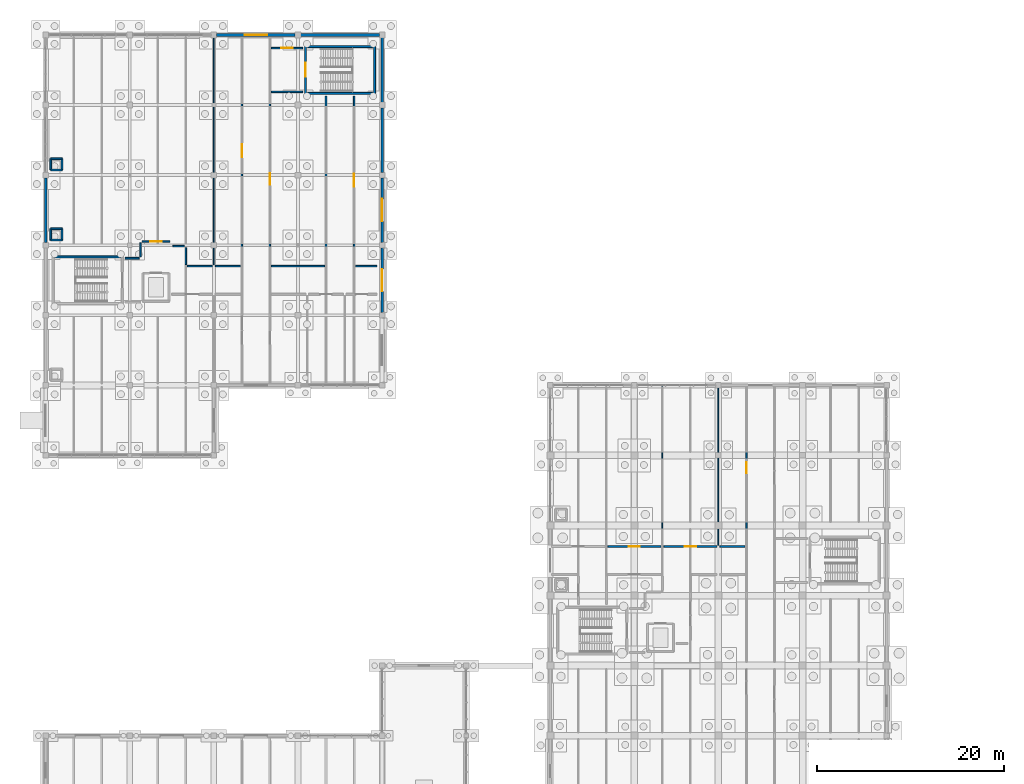
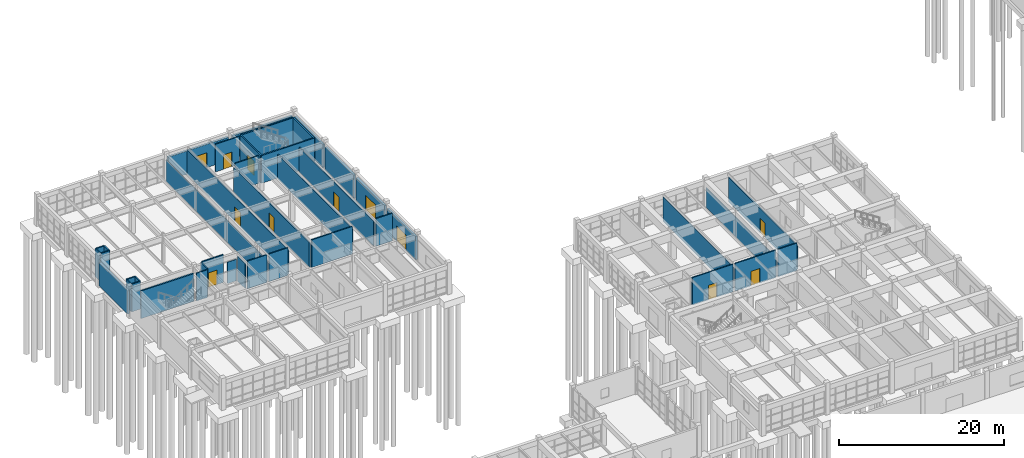
# One storey, part 85 of 93: 42 walls, 12 doors, 12 openings.
"""IFC4 building model written with IfcOpenShell, lengths in metres."""

from ifc_helpers import new_model, si_unit, direction, frame, frame_2d, origin, place, context, subcontext, project, spatial, rectangle, extrude, material, layer, layer_set, type_object, element, fill, save


model = new_model("IFC4")

# Units and contexts
model_context = context("Model", 3, precision=1e-05, world=origin(), true_north=direction((0.0, 1.0)))
body_context = subcontext(model_context, "Body", "Model", "MODEL_VIEW")
ifc_project = project(units=[si_unit("LENGTHUNIT", "METRE"), si_unit("AREAUNIT", "SQUARE_METRE"), si_unit("VOLUMEUNIT", "CUBIC_METRE"), si_unit("PLANEANGLEUNIT", "RADIAN"), si_unit("MASSUNIT", "GRAM", prefix="KILO")], contexts=[model_context])

# Site, building, storey
site_placement = place(None, origin())
site = spatial("IfcSite", under=ifc_project, at=site_placement, CompositionType="ELEMENT")
building_placement = place(site_placement, origin())
building = spatial("IfcBuilding", under=site, at=building_placement, Name="Marnridge Secondary College", CompositionType="ELEMENT")
storey_placement = place(building_placement, origin())
storey = spatial("IfcBuildingStorey", under=building, at=storey_placement, Name="L00", CompositionType="ELEMENT", Elevation=0.0)

# Walls
ifc_material_1 = material(Name="Concrete C40/50 (AS 3600 N40, 40 MPa)", Category="concrete")
ifc_layer_1 = layer(ifc_material_1, 0.199951171875)
ifc_layer_set_1 = layer_set([ifc_layer_1], Name="WT-CORE-RC200")
wall_type_1 = type_object("IfcWallType", Name="WT-CORE-RC200", PredefinedType="SHEAR", material=ifc_layer_set_1)
for number, where, z_axis, x_axis, name in (
    (1, (8.199951171875, 96.25, 0.0), (0.0, 0.0, 1.0), (-1.0, 0.0, 0.0), "Stair core shear wall WC-L00-0339"),
    (2, (27.800048828125, 113.75, 0.0), (0.0, 0.0, 1.0), (1.0, 0.0, 0.0), "Stair core shear wall WC-L00-0353"),
):
    element("IfcWall", number, at=place(storey_placement, frame(where, z_axis=z_axis, x_axis=x_axis)), inside=storey, type_object=wall_type_1, Name=name, PredefinedType="SHEAR", context=body_context, shape_type="SweptSolid", body=[
        extrude(rectangle(XDim=7.39990234375, YDim=0.199951171875, at=frame_2d((3.699951171875, 0.0))), origin(), (0.0, 0.0, 1.0), 4.10009765625),
    ])
wall_1_placement = place(storey_placement, frame((35.199951171875, 113.75, 0.0), z_axis=(0.0, 0.0, 1.0), x_axis=(0.0, 1.0, 0.0)))
element("IfcWall", 3, at=wall_1_placement, inside=storey, type_object=wall_type_1, Name="Stair core shear wall WC-L00-0354", PredefinedType="SHEAR", context=body_context, shape_type="SweptSolid", body=[
    extrude(rectangle(XDim=5.0, YDim=0.199951171875, at=frame_2d((2.5, 0.0))), origin(), (0.0, 0.0, 1.0), 4.10009765625),
])
wall_2_placement = place(storey_placement, frame((35.199951171875, 118.75, 0.0), z_axis=(0.0, 0.0, 1.0), x_axis=(-1.0, 0.0, 0.0)))
element("IfcWall", 4, at=wall_2_placement, inside=storey, type_object=wall_type_1, Name="Stair core shear wall WC-L00-0355", PredefinedType="SHEAR", context=body_context, shape_type="SweptSolid", body=[
    extrude(rectangle(XDim=7.39990234375, YDim=0.199951171875, at=frame_2d((3.699951171875, 0.0))), origin(), (0.0, 0.0, 1.0), 4.10009765625),
])

# Wall, opening, door
wall_3_placement = place(storey_placement, frame((27.800048828125, 113.75, 0.0), z_axis=(0.0, 0.0, 1.0), x_axis=(0.0, 1.0, 0.0)))
wall_3 = element("IfcWall", 5, at=wall_3_placement, inside=storey, type_object=wall_type_1, Name="Stair core shear wall WC-L00-0356", PredefinedType="SHEAR", context=body_context, shape_type="SweptSolid", body=[
    extrude(rectangle(XDim=5.0, YDim=0.199951171875, at=frame_2d((2.5, 0.0))), origin(), (0.0, 0.0, 1.0), 4.10009765625),
])
opening_1_placement = place(wall_3_placement, frame((1.75, 0.0, 0.0)))
opening_1 = element("IfcOpeningElement", 6, at=opening_1_placement, cuts=wall_3, Name="Opening DC-L00-027", PredefinedType="OPENING", context=body_context, shape_type="SweptSolid", body=[
    extrude(rectangle(XDim=1.5, YDim=2.14990234375, at=frame_2d((0.75, 1.074951171875))), frame((0.0, 0.10986328125, 0.0), z_axis=(0.0, -1.0, 0.0), x_axis=(1.0, 0.0, 0.0)), (0.0, 0.0, 1.0), 0.219970703125),
])
ifc_material_2 = material(Name="Fire-rated solid-core timber doorset", Category="wood")
door_type_1 = type_object("IfcDoorType", Name="DT-CORE-FD150", OperationType="DOUBLE_DOOR_SINGLE_SWING", PredefinedType="DOOR", material=ifc_material_2)
door_1_placement = place(opening_1_placement, origin())
door_1 = element("IfcDoor", 7, at=door_1_placement, inside=storey, type_object=door_type_1, Name="Fire stair door DC-L00-027", OperationType="DOUBLE_DOOR_SINGLE_SWING", OverallHeight=2.14990234375, OverallWidth=1.5, PredefinedType="DOOR", context=body_context, shape_type="SweptSolid", body=[
    extrude(rectangle(XDim=1.5, YDim=2.14990234375, at=frame_2d((0.75, 1.074951171875))), frame((0.0, 0.02490234375, 0.0), z_axis=(0.0, -1.0, 0.0), x_axis=(1.0, 0.0, 0.0)), (0.0, 0.0, 1.0), 0.050048828125),
])
fill(opening_1, door_1)

ifc_material_3 = material(Name="Concrete C40/50 (AS 3600 N40, 40 MPa)", Category="concrete")
ifc_layer_2 = layer(ifc_material_3, 0.280029296875)
ifc_layer_set_2 = layer_set([ifc_layer_2], Name="WT-EXT-RC280")
wall_type_2 = type_object("IfcWallType", Name="WT-EXT-RC280", PredefinedType="SOLIDWALL", material=ifc_layer_set_2)
wall_4_placement = place(storey_placement, frame((18.2958984375, 120.0, 0.0), z_axis=(0.0, 0.0, 1.0), x_axis=(1.0, 0.0, 0.0)))
wall_4 = element("IfcWall", 8, at=wall_4_placement, inside=storey, type_object=wall_type_2, Name="Exterior wall WE-L00-0054", PredefinedType="SOLIDWALL", context=body_context, shape_type="SweptSolid", body=[
    extrude(rectangle(XDim=8.408203125, YDim=0.280029296875, at=frame_2d((4.2041015625, 0.0))), origin(), (0.0, 0.0, 1.0), 3.44189453125),
])
opening_2_placement = place(wall_4_placement, frame((3.00390625, 0.0, 0.0)))
opening_2 = element("IfcOpeningElement", 9, at=opening_2_placement, cuts=wall_4, Name="Opening DE-L00-017", PredefinedType="OPENING", context=body_context, shape_type="SweptSolid", body=[
    extrude(rectangle(XDim=2.39990234375, YDim=2.199951171875, at=frame_2d((1.199951171875, 1.10009765625))), frame((0.0, 0.14990234375, 0.0), z_axis=(0.0, -1.0, 0.0), x_axis=(1.0, 0.0, 0.0)), (0.0, 0.0, 1.0), 0.300048828125),
])
ifc_material_4 = material(Name="Galvanised steel Grade 350 fire-exit doorset", Category="steel")
door_type_2 = type_object("IfcDoorType", Name="DT-EXT-STAIR240", OperationType="DOUBLE_DOOR_SINGLE_SWING", PredefinedType="DOOR", material=ifc_material_4)
door_2_placement = place(opening_2_placement, origin())
door_2 = element("IfcDoor", 10, at=door_2_placement, inside=storey, type_object=door_type_2, Name="Final exit stair door DE-L00-017", OperationType="DOUBLE_DOOR_SINGLE_SWING", OverallHeight=2.199951171875, OverallWidth=2.39990234375, PredefinedType="DOOR", context=body_context, shape_type="SweptSolid", body=[
    extrude(rectangle(XDim=2.39990234375, YDim=2.199951171875, at=frame_2d((1.199951171875, 1.10009765625))), frame((0.0, 0.02490234375, 0.0), z_axis=(0.0, -1.0, 0.0), x_axis=(1.0, 0.0, 0.0)), (0.0, 0.0, 1.0), 0.050048828125),
])
fill(opening_2, door_2)

# Walls
wall_5_placement = place(storey_placement, frame((27.2958984375, 120.0, 0.0), z_axis=(0.0, 0.0, 1.0), x_axis=(1.0, 0.0, 0.0)))
element("IfcWall", 11, at=wall_5_placement, inside=storey, type_object=wall_type_2, Name="Exterior wall WE-L00-0055", PredefinedType="SOLIDWALL", context=body_context, shape_type="SweptSolid", body=[
    extrude(rectangle(XDim=8.408203125, YDim=0.280029296875, at=frame_2d((4.2041015625, 0.0))), origin(), (0.0, 0.0, 1.0), 3.44189453125),
])
for number, where, z_axis, x_axis, name in (
    (12, (36.0, 119.7041015625, 0.0), (0.0, 0.0, 1.0), (0.0, -1.0, 0.0), "Exterior wall WE-L00-0056"),
    (13, (36.0, 112.2041015625, 0.0), (0.0, 0.0, 1.0), (0.0, -1.0, 0.0), "Exterior wall WE-L00-0057"),
):
    element("IfcWall", number, at=place(storey_placement, frame(where, z_axis=z_axis, x_axis=x_axis)), inside=storey, type_object=wall_type_2, Name=name, PredefinedType="SOLIDWALL", context=body_context, shape_type="SweptSolid", body=[
        extrude(rectangle(XDim=6.908203125, YDim=0.280029296875, at=frame_2d((3.4541015625, 0.0))), origin(), (0.0, 0.0, 1.0), 3.44189453125),
    ])

# Wall, opening, door
wall_6_placement = place(storey_placement, frame((36.0, 104.7041015625, 0.0), z_axis=(0.0, 0.0, 1.0), x_axis=(0.0, -1.0, 0.0)))
wall_6 = element("IfcWall", 14, at=wall_6_placement, inside=storey, type_object=wall_type_2, Name="Exterior wall WE-L00-0058", PredefinedType="SOLIDWALL", context=body_context, shape_type="SweptSolid", body=[
    extrude(rectangle(XDim=6.908203125, YDim=0.280029296875, at=frame_2d((3.4541015625, 0.0))), origin(), (0.0, 0.0, 1.0), 3.44189453125),
])
opening_3_placement = place(wall_6_placement, frame((2.25390625, 0.0, 0.0)))
opening_3 = element("IfcOpeningElement", 15, at=opening_3_placement, cuts=wall_6, Name="Opening DE-L00-018", PredefinedType="OPENING", context=body_context, shape_type="SweptSolid", body=[
    extrude(rectangle(XDim=2.39990234375, YDim=2.25, at=frame_2d((1.199951171875, 1.125))), frame((0.0, 0.14990234375, 0.0), z_axis=(0.0, -1.0, 0.0), x_axis=(1.0, 0.0, 0.0)), (0.0, 0.0, 1.0), 0.300048828125),
])
ifc_material_5 = material(Name="Thermally broken aluminium and toughened glass", Category="aluminium")
door_type_3 = type_object("IfcDoorType", Name="DT-EXT-EXIT240", OperationType="DOUBLE_DOOR_SINGLE_SWING", PredefinedType="DOOR", material=ifc_material_5)
door_3_placement = place(opening_3_placement, origin())
door_3 = element("IfcDoor", 16, at=door_3_placement, inside=storey, type_object=door_type_3, Name="Civic entrance exit door DE-L00-018", OperationType="DOUBLE_DOOR_SINGLE_SWING", OverallHeight=2.25, OverallWidth=2.39990234375, PredefinedType="DOOR", context=body_context, shape_type="SweptSolid", body=[
    extrude(rectangle(XDim=2.39990234375, YDim=2.25, at=frame_2d((1.199951171875, 1.125))), frame((0.0, 0.02490234375, 0.0), z_axis=(0.0, -1.0, 0.0), x_axis=(1.0, 0.0, 0.0)), (0.0, 0.0, 1.0), 0.050048828125),
])
fill(opening_3, door_3)

wall_7_placement = place(storey_placement, frame((36.0, 97.2041015625, 0.0), z_axis=(0.0, 0.0, 1.0), x_axis=(0.0, -1.0, 0.0)))
wall_7 = element("IfcWall", 17, at=wall_7_placement, inside=storey, type_object=wall_type_2, Name="Exterior wall WE-L00-0059", PredefinedType="SOLIDWALL", context=body_context, shape_type="SweptSolid", body=[
    extrude(rectangle(XDim=6.908203125, YDim=0.280029296875, at=frame_2d((3.4541015625, 0.0))), origin(), (0.0, 0.0, 1.0), 3.44189453125),
])
opening_4_placement = place(wall_7_placement, frame((2.25390625, 0.0, 0.0)))
opening_4 = element("IfcOpeningElement", 18, at=opening_4_placement, cuts=wall_7, Name="Opening DE-L00-019", PredefinedType="OPENING", context=body_context, shape_type="SweptSolid", body=[
    extrude(rectangle(XDim=2.39990234375, YDim=2.25, at=frame_2d((1.199951171875, 1.125))), frame((0.0, 0.14990234375, 0.0), z_axis=(0.0, -1.0, 0.0), x_axis=(1.0, 0.0, 0.0)), (0.0, 0.0, 1.0), 0.300048828125),
])
door_4_placement = place(opening_4_placement, origin())
door_4 = element("IfcDoor", 19, at=door_4_placement, inside=storey, type_object=door_type_3, Name="Civic entrance exit door DE-L00-019", OperationType="DOUBLE_DOOR_SINGLE_SWING", OverallHeight=2.25, OverallWidth=2.39990234375, PredefinedType="DOOR", context=body_context, shape_type="SweptSolid", body=[
    extrude(rectangle(XDim=2.39990234375, YDim=2.25, at=frame_2d((1.199951171875, 1.125))), frame((0.0, 0.02490234375, 0.0), z_axis=(0.0, -1.0, 0.0), x_axis=(1.0, 0.0, 0.0)), (0.0, 0.0, 1.0), 0.050048828125),
])
fill(opening_4, door_4)

# Walls
wall_8_placement = place(storey_placement, frame((0.0, 97.7958984375, 0.0), z_axis=(0.0, 0.0, 1.0), x_axis=(0.0, 1.0, 0.0)))
element("IfcWall", 20, at=wall_8_placement, inside=storey, type_object=wall_type_2, Name="Exterior wall WE-L00-0066", PredefinedType="SOLIDWALL", context=body_context, shape_type="SweptSolid", body=[
    extrude(rectangle(XDim=6.908203125, YDim=0.280029296875, at=frame_2d((3.4541015625, 0.0))), origin(), (0.0, 0.0, 1.0), 3.44189453125),
])
ifc_material_6 = material(Name="Acoustic plasterboard partition Rw45", Category="gypsum")
ifc_layer_3 = layer(ifc_material_6, 0.1201171875)
ifc_layer_set_3 = layer_set([ifc_layer_3], Name="WT-PART-AC120")
wall_type_3 = type_object("IfcWallType", Name="WT-PART-AC120", PredefinedType="PARTITIONING", material=ifc_layer_set_3)
wall_9_placement = place(storey_placement, frame((18.0, 95.409912109375, 0.0), z_axis=(0.0, 0.0, 1.0), x_axis=(0.0, 1.0, 0.0)))
element("IfcWall", 21, at=wall_9_placement, inside=storey, type_object=wall_type_3, Name="Interior partition WP-L00-0093", PredefinedType="PARTITIONING", context=body_context, shape_type="SweptSolid", body=[
    extrude(rectangle(XDim=24.43017578125, YDim=0.1201171875, at=frame_2d((12.215087890625, 0.0))), origin(), (0.0, 0.0, 1.0), 3.19189453125),
])

# Wall, opening, door
ifc_material_7 = material(Name="Acoustic plasterboard on twin steel Grade 350 framing Rw55", Category="steel")
ifc_layer_4 = layer(ifc_material_7, 0.1650390625)
ifc_layer_set_4 = layer_set([ifc_layer_4], Name="WT-PART-AC165")
wall_type_4 = type_object("IfcWallType", Name="WT-PART-AC165", PredefinedType="PARTITIONING", material=ifc_layer_set_4)
wall_10_placement = place(storey_placement, frame((60.159912109375, 65.25, 0.0), z_axis=(0.0, 0.0, 1.0), x_axis=(1.0, 0.0, 0.0)))
wall_10 = element("IfcWall", 22, at=wall_10_placement, inside=storey, type_object=wall_type_4, Name="Interior partition WP-L00-0004", PredefinedType="PARTITIONING", context=body_context, shape_type="SweptSolid", body=[
    extrude(rectangle(XDim=5.68017578125, YDim=0.1650390625, at=frame_2d((2.840087890625, 0.0))), origin(), (0.0, 0.0, 1.0), 4.080078125),
])
opening_5_placement = place(wall_10_placement, frame((2.239990234375, 0.0, 0.0)))
opening_5 = element("IfcOpeningElement", 23, at=opening_5_placement, cuts=wall_10, Name="Opening DI-L00-0002", PredefinedType="OPENING", context=body_context, shape_type="SweptSolid", body=[
    extrude(rectangle(XDim=1.199951171875, YDim=2.14990234375, at=frame_2d((0.60009765625, 1.074951171875))), frame((0.0, 0.092529296875, 0.0), z_axis=(0.0, -1.0, 0.0), x_axis=(1.0, 0.0, 0.0)), (0.0, 0.0, 1.0), 0.18505859375),
])
ifc_material_8 = material(Name="Galvanised steel Grade 350 plant-room fire doorset", Category="steel")
door_type_4 = type_object("IfcDoorType", Name="DT-PLT-120", OperationType="NOTDEFINED", PredefinedType="DOOR", material=ifc_material_8)
door_5_placement = place(opening_5_placement, origin())
door_5 = element("IfcDoor", 24, at=door_5_placement, inside=storey, type_object=door_type_4, Name="Interior door DI-L00-0002", OperationType="SINGLE_SWING_RIGHT", OverallHeight=2.14990234375, OverallWidth=1.199951171875, PredefinedType="DOOR", context=body_context, shape_type="SweptSolid", body=[
    extrude(rectangle(XDim=1.199951171875, YDim=2.14990234375, at=frame_2d((0.60009765625, 1.074951171875))), frame((0.0, 0.02490234375, 0.0), z_axis=(0.0, -1.0, 0.0), x_axis=(1.0, 0.0, 0.0)), (0.0, 0.0, 1.0), 0.050048828125),
])
fill(opening_5, door_5)

wall_11_placement = place(storey_placement, frame((66.159912109375, 65.25, 0.0), z_axis=(0.0, 0.0, 1.0), x_axis=(1.0, 0.0, 0.0)))
wall_11 = element("IfcWall", 25, at=wall_11_placement, inside=storey, type_object=wall_type_4, Name="Interior partition WP-L00-0005", PredefinedType="PARTITIONING", context=body_context, shape_type="SweptSolid", body=[
    extrude(rectangle(XDim=5.68017578125, YDim=0.1650390625, at=frame_2d((2.840087890625, 0.0))), origin(), (0.0, 0.0, 1.0), 4.080078125),
])
opening_6_placement = place(wall_11_placement, frame((2.239990234375, 0.0, 0.0)))
opening_6 = element("IfcOpeningElement", 26, at=opening_6_placement, cuts=wall_11, Name="Opening DI-L00-0003", PredefinedType="OPENING", context=body_context, shape_type="SweptSolid", body=[
    extrude(rectangle(XDim=1.199951171875, YDim=2.14990234375, at=frame_2d((0.60009765625, 1.074951171875))), frame((0.0, 0.092529296875, 0.0), z_axis=(0.0, -1.0, 0.0), x_axis=(1.0, 0.0, 0.0)), (0.0, 0.0, 1.0), 0.18505859375),
])
door_6_placement = place(opening_6_placement, origin())
door_6 = element("IfcDoor", 27, at=door_6_placement, inside=storey, type_object=door_type_4, Name="Interior door DI-L00-0003", OperationType="SINGLE_SWING_LEFT", OverallHeight=2.14990234375, OverallWidth=1.199951171875, PredefinedType="DOOR", context=body_context, shape_type="SweptSolid", body=[
    extrude(rectangle(XDim=1.199951171875, YDim=2.14990234375, at=frame_2d((0.60009765625, 1.074951171875))), frame((0.0, 0.02490234375, 0.0), z_axis=(0.0, -1.0, 0.0), x_axis=(1.0, 0.0, 0.0)), (0.0, 0.0, 1.0), 0.050048828125),
])
fill(opening_6, door_6)

# Wall
wall_12_placement = place(storey_placement, frame((72.159912109375, 65.25, 0.0), z_axis=(0.0, 0.0, 1.0), x_axis=(1.0, 0.0, 0.0)))
element("IfcWall", 28, at=wall_12_placement, inside=storey, type_object=wall_type_4, Name="Interior partition WP-L00-0023", PredefinedType="PARTITIONING", context=body_context, shape_type="SweptSolid", body=[
    extrude(rectangle(XDim=2.68017578125, YDim=0.1650390625, at=frame_2d((1.340087890625, 0.0))), origin(), (0.0, 0.0, 1.0), 4.080078125),
])

# Wall, opening, door
wall_13_placement = place(storey_placement, frame((75.0, 65.409912109375, 0.0), z_axis=(0.0, 0.0, 1.0), x_axis=(0.0, 1.0, 0.0)))
wall_13 = element("IfcWall", 29, at=wall_13_placement, inside=storey, type_object=wall_type_4, Name="Interior partition WP-L00-0024", PredefinedType="PARTITIONING", context=body_context, shape_type="SweptSolid", body=[
    extrude(rectangle(XDim=16.546875, YDim=0.1650390625, at=frame_2d((8.2734375, 0.0))), origin(), (0.0, 0.0, 1.0), 3.6220703125),
])
opening_7_placement = place(wall_13_placement, frame((7.673583984375, 0.0, 0.0)))
opening_7 = element("IfcOpeningElement", 30, at=opening_7_placement, cuts=wall_13, Name="Opening DI-L00-0009", PredefinedType="OPENING", context=body_context, shape_type="SweptSolid", body=[
    extrude(rectangle(XDim=1.199951171875, YDim=2.14990234375, at=frame_2d((0.60009765625, 1.074951171875))), frame((0.0, 0.092529296875, 0.0), z_axis=(0.0, -1.0, 0.0), x_axis=(1.0, 0.0, 0.0)), (0.0, 0.0, 1.0), 0.18505859375),
])
door_7_placement = place(opening_7_placement, origin())
door_7 = element("IfcDoor", 31, at=door_7_placement, inside=storey, type_object=door_type_4, Name="Interior door DI-L00-0009", OperationType="SINGLE_SWING_LEFT", OverallHeight=2.14990234375, OverallWidth=1.199951171875, PredefinedType="DOOR", context=body_context, shape_type="SweptSolid", body=[
    extrude(rectangle(XDim=1.199951171875, YDim=2.14990234375, at=frame_2d((0.60009765625, 1.074951171875))), frame((0.0, 0.02490234375, 0.0), z_axis=(0.0, -1.0, 0.0), x_axis=(1.0, 0.0, 0.0)), (0.0, 0.0, 1.0), 0.050048828125),
])
fill(opening_7, door_7)

# Walls
wall_14_placement = place(storey_placement, frame((15.0, 97.239990234375, 0.0), z_axis=(0.0, 0.0, 1.0), x_axis=(0.0, -1.0, 0.0)))
element("IfcWall", 32, at=wall_14_placement, inside=storey, type_object=wall_type_4, Name="Interior partition WP-L00-0077", PredefinedType="PARTITIONING", context=body_context, shape_type="SweptSolid", body=[
    extrude(rectangle(XDim=1.830078125, YDim=0.1650390625, at=frame_2d((0.9150390625, 0.0))), origin(), (0.0, 0.0, 1.0), 3.64208984375),
])
wall_15_placement = place(storey_placement, frame((15.159912109375, 95.25, 0.0), z_axis=(0.0, 0.0, 1.0), x_axis=(1.0, 0.0, 0.0)))
element("IfcWall", 33, at=wall_15_placement, inside=storey, type_object=wall_type_4, Name="Interior partition WP-L00-0078", PredefinedType="PARTITIONING", context=body_context, shape_type="SweptSolid", body=[
    extrude(rectangle(XDim=2.68017578125, YDim=0.1650390625, at=frame_2d((1.340087890625, 0.0))), origin(), (0.0, 0.0, 1.0), 4.10009765625),
])
wall_16_placement = place(storey_placement, frame((8.5, 96.10009765625, 0.0), z_axis=(0.0, 0.0, 1.0), x_axis=(1.0, 0.0, 0.0)))
element("IfcWall", 34, at=wall_16_placement, inside=storey, type_object=wall_type_4, Name="Interior partition WP-L00-0079", PredefinedType="PARTITIONING", context=body_context, shape_type="SweptSolid", body=[
    extrude(rectangle(XDim=1.489990234375, YDim=0.1650390625, at=frame_2d((0.7451171875, 0.0))), origin(), (0.0, 0.0, 1.0), 4.10009765625),
])
wall_17_placement = place(storey_placement, frame((10.14990234375, 96.260009765625, 0.0), z_axis=(0.0, 0.0, 1.0), x_axis=(0.0, 1.0, 0.0)))
element("IfcWall", 35, at=wall_17_placement, inside=storey, type_object=wall_type_4, Name="Interior partition WP-L00-0080", PredefinedType="PARTITIONING", context=body_context, shape_type="SweptSolid", body=[
    extrude(rectangle(XDim=1.47998046875, YDim=0.1650390625, at=frame_2d((0.739990234375, 0.0))), origin(), (0.0, 0.0, 1.0), 4.10009765625),
])

# Wall, opening, door
wall_18_placement = place(storey_placement, frame((10.31005859375, 97.89990234375, 0.0), z_axis=(0.0, 0.0, 1.0), x_axis=(1.0, 0.0, 0.0)))
wall_18 = element("IfcWall", 36, at=wall_18_placement, inside=storey, type_object=wall_type_4, Name="Interior partition WP-L00-0081", PredefinedType="PARTITIONING", context=body_context, shape_type="SweptSolid", body=[
    extrude(rectangle(XDim=2.97998046875, YDim=0.1650390625, at=frame_2d((1.489990234375, 0.0))), origin(), (0.0, 0.0, 1.0), 4.10009765625),
])
opening_8_placement = place(wall_18_placement, frame((0.889892578125, 0.0, 0.0)))
opening_8 = element("IfcOpeningElement", 37, at=opening_8_placement, cuts=wall_18, Name="Opening DI-L00-0029", PredefinedType="OPENING", context=body_context, shape_type="SweptSolid", body=[
    extrude(rectangle(XDim=1.199951171875, YDim=2.14990234375, at=frame_2d((0.60009765625, 1.074951171875))), frame((0.0, 0.092529296875, 0.0), z_axis=(0.0, -1.0, 0.0), x_axis=(1.0, 0.0, 0.0)), (0.0, 0.0, 1.0), 0.18505859375),
])
door_8_placement = place(opening_8_placement, origin())
door_8 = element("IfcDoor", 38, at=door_8_placement, inside=storey, type_object=door_type_4, Name="Interior door DI-L00-0029", OperationType="SINGLE_SWING_LEFT", OverallHeight=2.14990234375, OverallWidth=1.199951171875, PredefinedType="DOOR", context=body_context, shape_type="SweptSolid", body=[
    extrude(rectangle(XDim=1.199951171875, YDim=2.14990234375, at=frame_2d((0.60009765625, 1.074951171875))), frame((0.0, 0.02490234375, 0.0), z_axis=(0.0, -1.0, 0.0), x_axis=(1.0, 0.0, 0.0)), (0.0, 0.0, 1.0), 0.050048828125),
])
fill(opening_8, door_8)

# Walls
wall_19_placement = place(storey_placement, frame((13.610107421875, 97.39990234375, 0.0), z_axis=(0.0, 0.0, 1.0), x_axis=(1.0, 0.0, 0.0)))
element("IfcWall", 39, at=wall_19_placement, inside=storey, type_object=wall_type_4, Name="Interior partition WP-L00-0082", PredefinedType="PARTITIONING", context=body_context, shape_type="SweptSolid", body=[
    extrude(rectangle(XDim=1.22998046875, YDim=0.1650390625, at=frame_2d((0.614990234375, 0.0))), origin(), (0.0, 0.0, 1.0), 3.19189453125),
])
wall_20_placement = place(storey_placement, frame((18.159912109375, 95.25, 0.0), z_axis=(0.0, 0.0, 1.0), x_axis=(1.0, 0.0, 0.0)))
element("IfcWall", 40, at=wall_20_placement, inside=storey, type_object=wall_type_4, Name="Interior partition WP-L00-0083", PredefinedType="PARTITIONING", context=body_context, shape_type="SweptSolid", body=[
    extrude(rectangle(XDim=2.68017578125, YDim=0.1650390625, at=frame_2d((1.340087890625, 0.0))), origin(), (0.0, 0.0, 1.0), 4.10009765625),
])

# Wall, opening, door
wall_21_placement = place(storey_placement, frame((21.0, 95.409912109375, 0.0), z_axis=(0.0, 0.0, 1.0), x_axis=(0.0, 1.0, 0.0)))
wall_21 = element("IfcWall", 41, at=wall_21_placement, inside=storey, type_object=wall_type_4, Name="Interior partition WP-L00-0084", PredefinedType="PARTITIONING", context=body_context, shape_type="SweptSolid", body=[
    extrude(rectangle(XDim=24.43017578125, YDim=0.1650390625, at=frame_2d((12.215087890625, 0.0))), origin(), (0.0, 0.0, 1.0), 3.64208984375),
])
opening_9_placement = place(wall_21_placement, frame((11.514892578125, 0.0, 0.0)))
opening_9 = element("IfcOpeningElement", 42, at=opening_9_placement, cuts=wall_21, Name="Opening DI-L00-0030", PredefinedType="OPENING", context=body_context, shape_type="SweptSolid", body=[
    extrude(rectangle(XDim=1.39990234375, YDim=2.14990234375, at=frame_2d((0.699951171875, 1.074951171875))), frame((0.0, 0.092529296875, 0.0), z_axis=(0.0, -1.0, 0.0), x_axis=(1.0, 0.0, 0.0)), (0.0, 0.0, 1.0), 0.18505859375),
])
ifc_material_9 = material(Name="Laboratory leaf-and-a-half vision-panel doorset", Category="wood")
door_type_5 = type_object("IfcDoorType", Name="DT-LAB-140", OperationType="DOUBLE_DOOR_SINGLE_SWING", PredefinedType="DOOR", material=ifc_material_9)
door_9_placement = place(opening_9_placement, origin())
door_9 = element("IfcDoor", 43, at=door_9_placement, inside=storey, type_object=door_type_5, Name="Interior door DI-L00-0030", OperationType="DOUBLE_DOOR_SINGLE_SWING", OverallHeight=2.14990234375, OverallWidth=1.39990234375, PredefinedType="DOOR", context=body_context, shape_type="SweptSolid", body=[
    extrude(rectangle(XDim=1.39990234375, YDim=2.14990234375, at=frame_2d((0.699951171875, 1.074951171875))), frame((0.0, 0.02490234375, 0.0), z_axis=(0.0, -1.0, 0.0), x_axis=(1.0, 0.0, 0.0)), (0.0, 0.0, 1.0), 0.050048828125),
])
fill(opening_9, door_9)

# Wall
wall_22_placement = place(storey_placement, frame((27.5, 113.89990234375, 0.0), z_axis=(0.0, 0.0, 1.0), x_axis=(-1.0, 0.0, 0.0)))
element("IfcWall", 44, at=wall_22_placement, inside=storey, type_object=wall_type_4, Name="Interior partition WP-L00-0085", PredefinedType="PARTITIONING", context=body_context, shape_type="SweptSolid", body=[
    extrude(rectangle(XDim=3.340087890625, YDim=0.1650390625, at=frame_2d((1.669921875, 0.0))), origin(), (0.0, 0.0, 1.0), 4.10009765625),
])

# Wall, opening, door
wall_23_placement = place(storey_placement, frame((24.0, 113.739990234375, 0.0), z_axis=(0.0, 0.0, 1.0), x_axis=(0.0, -1.0, 0.0)))
wall_23 = element("IfcWall", 45, at=wall_23_placement, inside=storey, type_object=wall_type_4, Name="Interior partition WP-L00-0086", PredefinedType="PARTITIONING", context=body_context, shape_type="SweptSolid", body=[
    extrude(rectangle(XDim=18.330078125, YDim=0.1650390625, at=frame_2d((9.1650390625, 0.0))), origin(), (0.0, 0.0, 1.0), 3.64208984375),
])
opening_10_placement = place(wall_23_placement, frame((8.56494140625, 0.0, 0.0)))
opening_10 = element("IfcOpeningElement", 46, at=opening_10_placement, cuts=wall_23, Name="Opening DI-L00-0031", PredefinedType="OPENING", context=body_context, shape_type="SweptSolid", body=[
    extrude(rectangle(XDim=1.199951171875, YDim=2.14990234375, at=frame_2d((0.60009765625, 1.074951171875))), frame((0.0, 0.092529296875, 0.0), z_axis=(0.0, -1.0, 0.0), x_axis=(1.0, 0.0, 0.0)), (0.0, 0.0, 1.0), 0.18505859375),
])
door_10_placement = place(opening_10_placement, origin())
door_10 = element("IfcDoor", 47, at=door_10_placement, inside=storey, type_object=door_type_4, Name="Interior door DI-L00-0031", OperationType="SINGLE_SWING_LEFT", OverallHeight=2.14990234375, OverallWidth=1.199951171875, PredefinedType="DOOR", context=body_context, shape_type="SweptSolid", body=[
    extrude(rectangle(XDim=1.199951171875, YDim=2.14990234375, at=frame_2d((0.60009765625, 1.074951171875))), frame((0.0, 0.02490234375, 0.0), z_axis=(0.0, -1.0, 0.0), x_axis=(1.0, 0.0, 0.0)), (0.0, 0.0, 1.0), 0.050048828125),
])
fill(opening_10, door_10)

# Walls
wall_24_placement = place(storey_placement, frame((24.159912109375, 95.25, 0.0), z_axis=(0.0, 0.0, 1.0), x_axis=(1.0, 0.0, 0.0)))
element("IfcWall", 48, at=wall_24_placement, inside=storey, type_object=wall_type_4, Name="Interior partition WP-L00-0087", PredefinedType="PARTITIONING", context=body_context, shape_type="SweptSolid", body=[
    extrude(rectangle(XDim=5.68017578125, YDim=0.1650390625, at=frame_2d((2.840087890625, 0.0))), origin(), (0.0, 0.0, 1.0), 4.10009765625),
])
wall_25_placement = place(storey_placement, frame((30.0, 95.409912109375, 0.0), z_axis=(0.0, 0.0, 1.0), x_axis=(0.0, 1.0, 0.0)))
element("IfcWall", 49, at=wall_25_placement, inside=storey, type_object=wall_type_4, Name="Interior partition WP-L00-0088", PredefinedType="PARTITIONING", context=body_context, shape_type="SweptSolid", body=[
    extrude(rectangle(XDim=18.0400390625, YDim=0.1650390625, at=frame_2d((9.02001953125, 0.0))), origin(), (0.0, 0.0, 1.0), 3.64208984375),
])

# Wall, opening, door
wall_26_placement = place(storey_placement, frame((33.0, 113.449951171875, 0.0), z_axis=(0.0, 0.0, 1.0), x_axis=(0.0, -1.0, 0.0)))
wall_26 = element("IfcWall", 50, at=wall_26_placement, inside=storey, type_object=wall_type_4, Name="Interior partition WP-L00-0089", PredefinedType="PARTITIONING", context=body_context, shape_type="SweptSolid", body=[
    extrude(rectangle(XDim=18.0400390625, YDim=0.1650390625, at=frame_2d((9.02001953125, 0.0))), origin(), (0.0, 0.0, 1.0), 3.64208984375),
])
opening_11_placement = place(wall_26_placement, frame((8.320068359375, 0.0, 0.0)))
opening_11 = element("IfcOpeningElement", 51, at=opening_11_placement, cuts=wall_26, Name="Opening DI-L00-0032", PredefinedType="OPENING", context=body_context, shape_type="SweptSolid", body=[
    extrude(rectangle(XDim=1.39990234375, YDim=2.14990234375, at=frame_2d((0.699951171875, 1.074951171875))), frame((0.0, 0.092529296875, 0.0), z_axis=(0.0, -1.0, 0.0), x_axis=(1.0, 0.0, 0.0)), (0.0, 0.0, 1.0), 0.18505859375),
])
door_11_placement = place(opening_11_placement, origin())
door_11 = element("IfcDoor", 52, at=door_11_placement, inside=storey, type_object=door_type_5, Name="Interior door DI-L00-0032", OperationType="DOUBLE_DOOR_SINGLE_SWING", OverallHeight=2.14990234375, OverallWidth=1.39990234375, PredefinedType="DOOR", context=body_context, shape_type="SweptSolid", body=[
    extrude(rectangle(XDim=1.39990234375, YDim=2.14990234375, at=frame_2d((0.699951171875, 1.074951171875))), frame((0.0, 0.02490234375, 0.0), z_axis=(0.0, -1.0, 0.0), x_axis=(1.0, 0.0, 0.0)), (0.0, 0.0, 1.0), 0.050048828125),
])
fill(opening_11, door_11)

# Wall
wall_27_placement = place(storey_placement, frame((33.159912109375, 95.25, 0.0), z_axis=(0.0, 0.0, 1.0), x_axis=(1.0, 0.0, 0.0)))
element("IfcWall", 53, at=wall_27_placement, inside=storey, type_object=wall_type_4, Name="Interior partition WP-L00-0090", PredefinedType="PARTITIONING", context=body_context, shape_type="SweptSolid", body=[
    extrude(rectangle(XDim=2.296875, YDim=0.1650390625, at=frame_2d((1.1484375, 0.0))), origin(), (0.0, 0.0, 1.0), 4.10009765625),
])

# Wall, opening, door
wall_28_placement = place(storey_placement, frame((27.5, 118.60009765625, 0.0), z_axis=(0.0, 0.0, 1.0), x_axis=(-1.0, 0.0, 0.0)))
wall_28 = element("IfcWall", 54, at=wall_28_placement, inside=storey, type_object=wall_type_4, Name="Interior partition WP-L00-0091", PredefinedType="PARTITIONING", context=body_context, shape_type="SweptSolid", body=[
    extrude(rectangle(XDim=3.340087890625, YDim=0.1650390625, at=frame_2d((1.669921875, 0.0))), origin(), (0.0, 0.0, 1.0), 4.10009765625),
])
opening_12_placement = place(wall_28_placement, frame((1.070068359375, 0.0, 0.0)))
opening_12 = element("IfcOpeningElement", 55, at=opening_12_placement, cuts=wall_28, Name="Opening DI-L00-0033", PredefinedType="OPENING", context=body_context, shape_type="SweptSolid", body=[
    extrude(rectangle(XDim=1.199951171875, YDim=2.14990234375, at=frame_2d((0.60009765625, 1.074951171875))), frame((0.0, 0.092529296875, 0.0), z_axis=(0.0, -1.0, 0.0), x_axis=(1.0, 0.0, 0.0)), (0.0, 0.0, 1.0), 0.18505859375),
])
door_12_placement = place(opening_12_placement, origin())
door_12 = element("IfcDoor", 56, at=door_12_placement, inside=storey, type_object=door_type_4, Name="Interior door DI-L00-0033", OperationType="SINGLE_SWING_LEFT", OverallHeight=2.14990234375, OverallWidth=1.199951171875, PredefinedType="DOOR", context=body_context, shape_type="SweptSolid", body=[
    extrude(rectangle(XDim=1.199951171875, YDim=2.14990234375, at=frame_2d((0.60009765625, 1.074951171875))), frame((0.0, 0.02490234375, 0.0), z_axis=(0.0, -1.0, 0.0), x_axis=(1.0, 0.0, 0.0)), (0.0, 0.0, 1.0), 0.050048828125),
])
fill(opening_12, door_12)

# Walls
ifc_material_10 = material(Name="Moisture-resistant plasterboard sanitary partition", Category="gypsum")
ifc_layer_5 = layer(ifc_material_10, 0.110107421875)
ifc_layer_set_5 = layer_set([ifc_layer_5], Name="WT-PART-WT110")
wall_type_5 = type_object("IfcWallType", Name="WT-PART-WT110", PredefinedType="PARTITIONING", material=ifc_layer_set_5)
wall_29_placement = place(storey_placement, frame((66.0, 65.409912109375, 0.0), z_axis=(0.0, 0.0, 1.0), x_axis=(0.0, 1.0, 0.0)))
element("IfcWall", 57, at=wall_29_placement, inside=storey, type_object=wall_type_5, Name="Interior partition WP-L00-0003", PredefinedType="PARTITIONING", context=body_context, shape_type="SweptSolid", body=[
    extrude(rectangle(XDim=16.93017578125, YDim=0.110107421875, at=frame_2d((8.465087890625, 0.0))), origin(), (0.0, 0.0, 1.0), 3.6220703125),
])
wall_30_placement = place(storey_placement, frame((72.0, 65.409912109375, 0.0), z_axis=(0.0, 0.0, 1.0), x_axis=(0.0, 1.0, 0.0)))
element("IfcWall", 58, at=wall_30_placement, inside=storey, type_object=wall_type_5, Name="Interior partition WP-L00-0006", PredefinedType="PARTITIONING", context=body_context, shape_type="SweptSolid", body=[
    extrude(rectangle(XDim=16.93017578125, YDim=0.110107421875, at=frame_2d((8.465087890625, 0.0))), origin(), (0.0, 0.0, 1.0), 2.8720703125),
])
ifc_material_11 = material(Name="Concrete C40/50 (AS 3600 N40, 40 MPa)", Category="concrete")
ifc_layer_6 = layer(ifc_material_11, 0.179931640625)
ifc_layer_set_6 = layer_set([ifc_layer_6], Name="WT-SHAFT-RC180")
wall_type_6 = type_object("IfcWallType", Name="WT-SHAFT-RC180", PredefinedType="SHEAR", material=ifc_layer_set_6)
for number, where, z_axis, x_axis, name in (
    (59, (1.75, 98.050048828125, 0.0), (0.0, 0.0, 1.0), (-1.0, 0.0, 0.0), "Service riser shaft wall WR-L00-0037"),
    (60, (0.550048828125, 98.050048828125, 0.0), (0.0, 0.0, 1.0), (0.0, 1.0, 0.0), "Service riser shaft wall WR-L00-0038"),
    (61, (0.550048828125, 99.25, 0.0), (0.0, 0.0, 1.0), (1.0, 0.0, 0.0), "Service riser shaft wall WR-L00-0039"),
    (62, (1.75, 99.25, 0.0), (0.0, 0.0, 1.0), (0.0, -1.0, 0.0), "Service riser shaft wall WR-L00-0040"),
    (63, (1.75, 105.550048828125, 0.0), (0.0, 0.0, 1.0), (-1.0, 0.0, 0.0), "Service riser shaft wall WR-L00-0041"),
    (64, (0.550048828125, 105.550048828125, 0.0), (0.0, 0.0, 1.0), (0.0, 1.0, 0.0), "Service riser shaft wall WR-L00-0042"),
    (65, (0.550048828125, 106.75, 0.0), (0.0, 0.0, 1.0), (1.0, 0.0, 0.0), "Service riser shaft wall WR-L00-0043"),
    (66, (1.75, 106.75, 0.0), (0.0, 0.0, 1.0), (0.0, -1.0, 0.0), "Service riser shaft wall WR-L00-0044"),
):
    element("IfcWall", number, at=place(storey_placement, frame(where, z_axis=z_axis, x_axis=x_axis)), inside=storey, type_object=wall_type_6, Name=name, PredefinedType="SHEAR", context=body_context, shape_type="SweptSolid", body=[
        extrude(rectangle(XDim=1.199951171875, YDim=0.179931640625, at=frame_2d((0.60009765625, 0.0))), origin(), (0.0, 0.0, 1.0), 4.10009765625),
    ])

save(model, "model.ifc")
